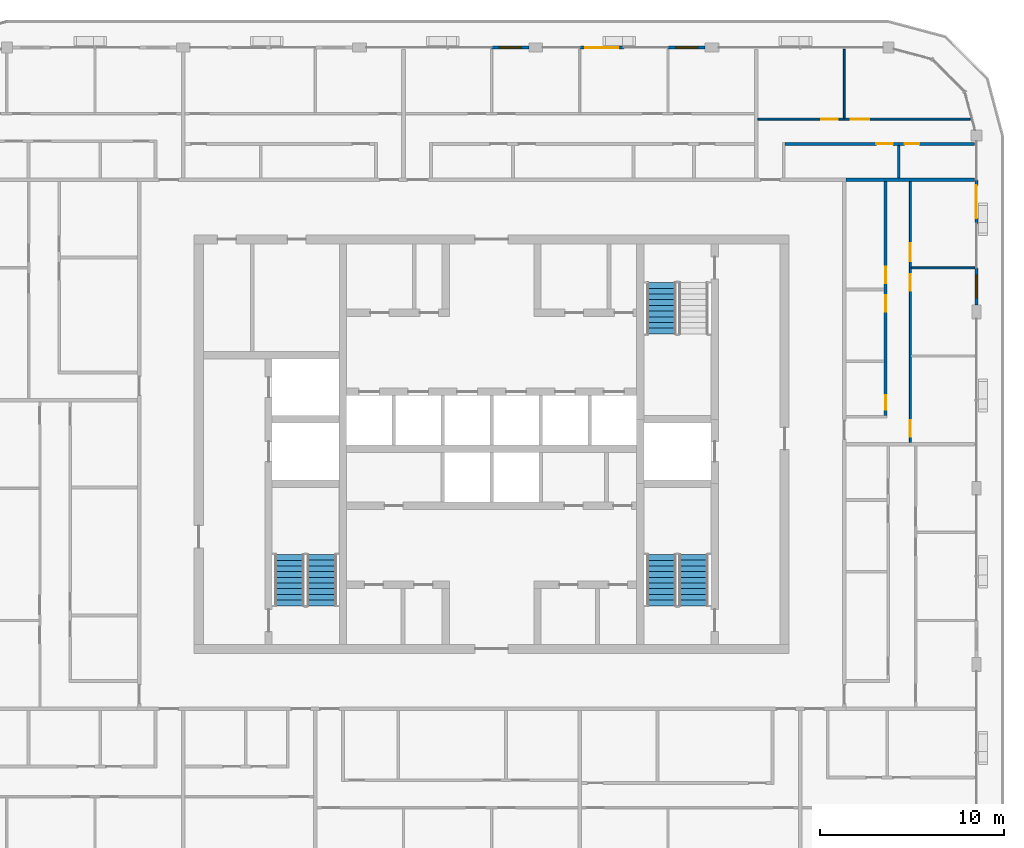
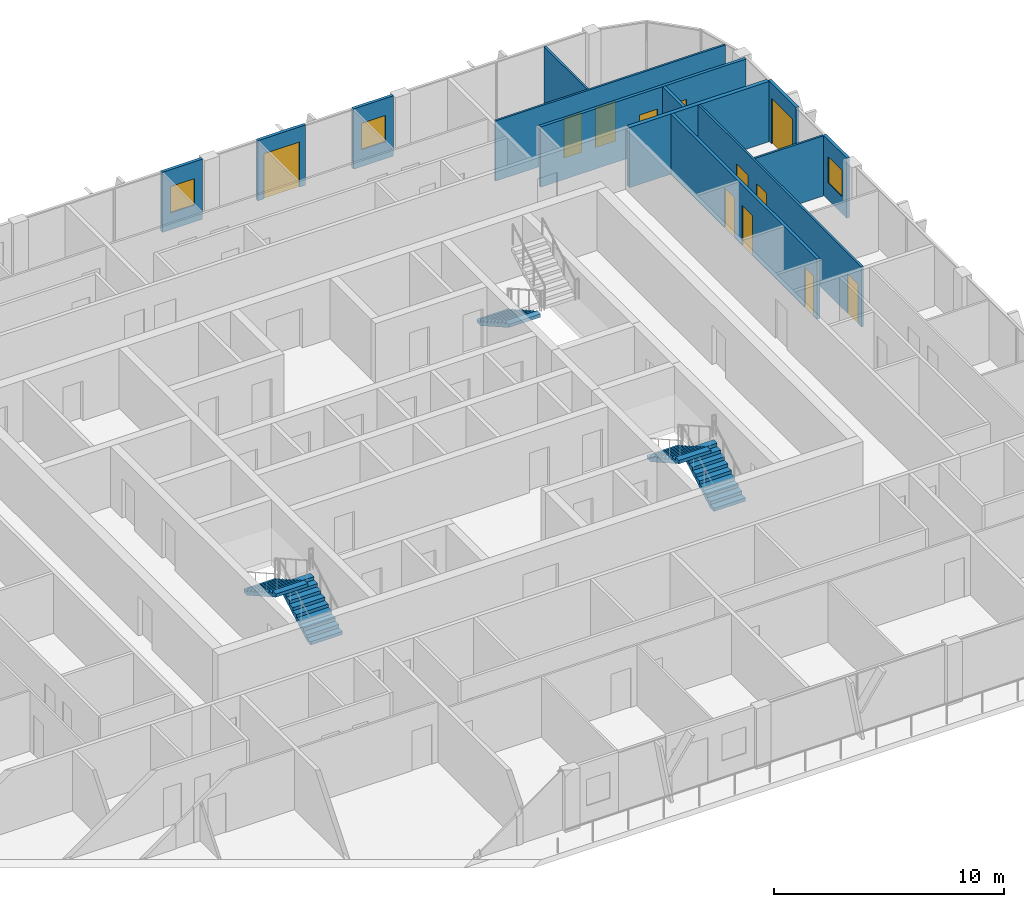
# One storey, part 15 of 22: 13 walls, 12 doors, 5 stair flights, 3 windows, 15 openings, 3 elements without a shape of their own.
"""IFC4 building model written with IfcOpenShell, lengths in metres."""

from ifc_helpers import new_model, si_unit, direction, frame, frame_2d, origin, place, context, subcontext, project, spatial, polyline, rectangle, outline, extrude, material, layer, layer_set, type_object, element, fill, aggregate, save


model = new_model("IFC4")

# Units and contexts
model_context = context("Model", 3, precision=1e-05, world=origin(), true_north=direction((0.0, 1.0)))
body_context = subcontext(model_context, "Body", "Model", "MODEL_VIEW")
ifc_project = project(units=[si_unit("LENGTHUNIT", "METRE"), si_unit("AREAUNIT", "SQUARE_METRE"), si_unit("VOLUMEUNIT", "CUBIC_METRE"), si_unit("PLANEANGLEUNIT", "RADIAN"), si_unit("MASSUNIT", "GRAM", prefix="KILO")], contexts=[model_context])

# Site, building, storey
site_placement = place(None, origin())
site = spatial("IfcSite", under=ifc_project, at=site_placement, CompositionType="ELEMENT")
building_placement = place(site_placement, origin())
building = spatial("IfcBuilding", under=site, at=building_placement, Name="Madar Terraces", CompositionType="ELEMENT")
storey_placement = place(building_placement, frame((0.0, 0.0, 282.60009765625)))
storey = spatial("IfcBuildingStorey", under=building, at=storey_placement, Name="L74", CompositionType="ELEMENT", Elevation=282.60009765625)

# Wall, opening, window
ifc_material_1 = material(Name="Aluminium composite panel, black, over insulated backing", Category="aluminium")
ifc_layer_1 = layer(ifc_material_1, 0.14990234375)
ifc_layer_set_1 = layer_set([ifc_layer_1], Name="Facade bay panel 150")
wall_type_1 = type_object("IfcWallType", Name="Facade bay panel 150", PredefinedType="SOLIDWALL", material=ifc_layer_set_1)
wall_1_placement = place(storey_placement, frame((57.60009765625, 33.97509765625, 0.0), z_axis=(0.0, 0.0, 1.0), x_axis=(0.0, 1.0, 0.0)))
wall_1 = element("IfcWall", 1, at=wall_1_placement, inside=storey, type_object=wall_type_1, Name="Facade bay panel", PredefinedType="SOLIDWALL", context=body_context, shape_type="SweptSolid", body=[
    extrude(rectangle(XDim=2.02490234375, YDim=0.14990234375, at=frame_2d((1.012451171875, 0.0))), origin(), (0.0, 0.0, 1.0), 3.199951171875),
])
opening_1_placement = place(wall_1_placement, frame((0.41259765625, 0.0, 0.89990234375)))
opening_1 = element("IfcOpeningElement", 2, at=opening_1_placement, cuts=wall_1, Name="Opening W1", PredefinedType="OPENING", context=body_context, shape_type="SweptSolid", body=[
    extrude(rectangle(XDim=1.199951171875, YDim=1.39990234375, at=frame_2d((0.60009765625, 0.699951171875))), frame((0.0, 0.0849609375, 0.0), z_axis=(0.0, -1.0, 0.0), x_axis=(1.0, 0.0, 0.0)), (0.0, 0.0, 1.0), 0.169921875),
])
ifc_material_2 = material(Name="Glass, clear, with black aluminium frame", Category="aluminium")
window_type = type_object("IfcWindowType", Name="Vent window 1200 x 1400", PartitioningType="SINGLE_PANEL", PredefinedType="WINDOW", material=ifc_material_2)
window_1_placement = place(opening_1_placement, origin())
window_1 = element("IfcWindow", 3, at=window_1_placement, inside=storey, type_object=window_type, Name="Operable vent window", OverallHeight=1.39990234375, OverallWidth=1.199951171875, PartitioningType="SINGLE_PANEL", PredefinedType="WINDOW", context=body_context, shape_type="SweptSolid", body=[
    extrude(rectangle(XDim=1.199951171875, YDim=1.39990234375, at=frame_2d((0.60009765625, 0.699951171875))), frame((0.0, 0.030029296875, 0.0), z_axis=(0.0, -1.0, 0.0), x_axis=(1.0, 0.0, 0.0)), (0.0, 0.0, 1.0), 0.06005859375),
])
fill(opening_1, window_1)

# Wall, opening, door
wall_2_placement = place(storey_placement, frame((57.60009765625, 38.39990234375, 0.0), z_axis=(0.0, 0.0, 1.0), x_axis=(0.0, 1.0, 0.0)))
wall_2 = element("IfcWall", 4, at=wall_2_placement, inside=storey, type_object=wall_type_1, Name="Facade bay panel", PredefinedType="SOLIDWALL", context=body_context, shape_type="SweptSolid", body=[
    extrude(rectangle(XDim=2.400146484375, YDim=0.14990234375, at=frame_2d((1.2001953125, 0.0))), origin(), (0.0, 0.0, 1.0), 3.199951171875),
])
opening_2_placement = place(wall_2_placement, frame((0.300048828125, 0.0, 0.0)))
opening_2 = element("IfcOpeningElement", 5, at=opening_2_placement, cuts=wall_2, Name="Opening ED1", PredefinedType="OPENING", context=body_context, shape_type="SweptSolid", body=[
    extrude(rectangle(XDim=1.800048828125, YDim=2.39990234375, at=frame_2d((0.89990234375, 1.199951171875))), frame((0.0, 0.0849609375, 0.0), z_axis=(0.0, -1.0, 0.0), x_axis=(1.0, 0.0, 0.0)), (0.0, 0.0, 1.0), 0.169921875),
])
ifc_material_3 = material(Name="Glass, clear, with black aluminium frame", Category="aluminium")
door_type_1 = type_object("IfcDoorType", Name="Balcony and terrace sliding door 1800 x 2400", OperationType="SLIDING_TO_LEFT", PredefinedType="DOOR", material=ifc_material_3)
door_1_placement = place(opening_2_placement, origin())
door_1 = element("IfcDoor", 6, at=door_1_placement, inside=storey, type_object=door_type_1, Name="Balcony door", OperationType="SLIDING_TO_RIGHT", OverallHeight=2.39990234375, OverallWidth=1.800048828125, PredefinedType="DOOR", context=body_context, shape_type="SweptSolid", body=[
    extrude(rectangle(XDim=1.800048828125, YDim=2.39990234375, at=frame_2d((0.89990234375, 1.199951171875))), frame((0.0, 0.02490234375, 0.0), z_axis=(0.0, -1.0, 0.0), x_axis=(1.0, 0.0, 0.0)), (0.0, 0.0, 1.0), 0.050048828125),
])
fill(opening_2, door_1)

# Wall, opening, window
wall_3_placement = place(storey_placement, frame((42.824951171875, 48.0, 0.0), z_axis=(0.0, 0.0, 1.0), x_axis=(-1.0, 0.0, 0.0)))
wall_3 = element("IfcWall", 7, at=wall_3_placement, inside=storey, type_object=wall_type_1, Name="Facade bay panel", PredefinedType="SOLIDWALL", context=body_context, shape_type="SweptSolid", body=[
    extrude(rectangle(XDim=2.02490234375, YDim=0.14990234375, at=frame_2d((1.012451171875, 0.0))), origin(), (0.0, 0.0, 1.0), 3.199951171875),
])
opening_3_placement = place(wall_3_placement, frame((0.41259765625, 0.0, 0.89990234375)))
opening_3 = element("IfcOpeningElement", 8, at=opening_3_placement, cuts=wall_3, Name="Opening W1", PredefinedType="OPENING", context=body_context, shape_type="SweptSolid", body=[
    extrude(rectangle(XDim=1.199951171875, YDim=1.39990234375, at=frame_2d((0.60009765625, 0.699951171875))), frame((0.0, 0.0849609375, 0.0), z_axis=(0.0, -1.0, 0.0), x_axis=(1.0, 0.0, 0.0)), (0.0, 0.0, 1.0), 0.169921875),
])
window_2_placement = place(opening_3_placement, origin())
window_2 = element("IfcWindow", 9, at=window_2_placement, inside=storey, type_object=window_type, Name="Operable vent window", OverallHeight=1.39990234375, OverallWidth=1.199951171875, PartitioningType="SINGLE_PANEL", PredefinedType="WINDOW", context=body_context, shape_type="SweptSolid", body=[
    extrude(rectangle(XDim=1.199951171875, YDim=1.39990234375, at=frame_2d((0.60009765625, 0.699951171875))), frame((0.0, 0.030029296875, 0.0), z_axis=(0.0, -1.0, 0.0), x_axis=(1.0, 0.0, 0.0)), (0.0, 0.0, 1.0), 0.06005859375),
])
fill(opening_3, window_2)

# Wall, opening, door
wall_4_placement = place(storey_placement, frame((38.39990234375, 48.0, 0.0), z_axis=(0.0, 0.0, 1.0), x_axis=(-1.0, 0.0, 0.0)))
wall_4 = element("IfcWall", 10, at=wall_4_placement, inside=storey, type_object=wall_type_1, Name="Facade bay panel", PredefinedType="SOLIDWALL", context=body_context, shape_type="SweptSolid", body=[
    extrude(rectangle(XDim=2.39990234375, YDim=0.14990234375, at=frame_2d((1.199951171875, 0.0))), origin(), (0.0, 0.0, 1.0), 3.199951171875),
])
opening_4_placement = place(wall_4_placement, frame((0.300048828125, 0.0, 0.0)))
opening_4 = element("IfcOpeningElement", 11, at=opening_4_placement, cuts=wall_4, Name="Opening ED1", PredefinedType="OPENING", context=body_context, shape_type="SweptSolid", body=[
    extrude(rectangle(XDim=1.800048828125, YDim=2.39990234375, at=frame_2d((0.89990234375, 1.199951171875))), frame((0.0, 0.0849609375, 0.0), z_axis=(0.0, -1.0, 0.0), x_axis=(1.0, 0.0, 0.0)), (0.0, 0.0, 1.0), 0.169921875),
])
door_2_placement = place(opening_4_placement, origin())
door_2 = element("IfcDoor", 12, at=door_2_placement, inside=storey, type_object=door_type_1, Name="Balcony door", OperationType="SLIDING_TO_LEFT", OverallHeight=2.39990234375, OverallWidth=1.800048828125, PredefinedType="DOOR", context=body_context, shape_type="SweptSolid", body=[
    extrude(rectangle(XDim=1.800048828125, YDim=2.39990234375, at=frame_2d((0.89990234375, 1.199951171875))), frame((0.0, 0.02490234375, 0.0), z_axis=(0.0, -1.0, 0.0), x_axis=(1.0, 0.0, 0.0)), (0.0, 0.0, 1.0), 0.050048828125),
])
fill(opening_4, door_2)

# Wall, opening, window
wall_5_placement = place(storey_placement, frame((33.22509765625, 48.0, 0.0), z_axis=(0.0, 0.0, 1.0), x_axis=(-1.0, 0.0, 0.0)))
wall_5 = element("IfcWall", 13, at=wall_5_placement, inside=storey, type_object=wall_type_1, Name="Facade bay panel", PredefinedType="SOLIDWALL", context=body_context, shape_type="SweptSolid", body=[
    extrude(rectangle(XDim=2.025146484375, YDim=0.14990234375, at=frame_2d((1.0126953125, 0.0))), origin(), (0.0, 0.0, 1.0), 3.199951171875),
])
opening_5_placement = place(wall_5_placement, frame((0.41259765625, 0.0, 0.89990234375)))
opening_5 = element("IfcOpeningElement", 14, at=opening_5_placement, cuts=wall_5, Name="Opening W1", PredefinedType="OPENING", context=body_context, shape_type="SweptSolid", body=[
    extrude(rectangle(XDim=1.199951171875, YDim=1.39990234375, at=frame_2d((0.60009765625, 0.699951171875))), frame((0.0, 0.0849609375, 0.0), z_axis=(0.0, -1.0, 0.0), x_axis=(1.0, 0.0, 0.0)), (0.0, 0.0, 1.0), 0.169921875),
])
window_3_placement = place(opening_5_placement, origin())
window_3 = element("IfcWindow", 15, at=window_3_placement, inside=storey, type_object=window_type, Name="Operable vent window", OverallHeight=1.39990234375, OverallWidth=1.199951171875, PartitioningType="SINGLE_PANEL", PredefinedType="WINDOW", context=body_context, shape_type="SweptSolid", body=[
    extrude(rectangle(XDim=1.199951171875, YDim=1.39990234375, at=frame_2d((0.60009765625, 0.699951171875))), frame((0.0, 0.030029296875, 0.0), z_axis=(0.0, -1.0, 0.0), x_axis=(1.0, 0.0, 0.0)), (0.0, 0.0, 1.0), 0.06005859375),
])
fill(opening_5, window_3)

# Wall
ifc_material_4 = material(Name="Gypsum board on steel studs", Category="steel")
ifc_layer_2 = layer(ifc_material_4, 0.10009765625)
ifc_layer_set_2 = layer_set([ifc_layer_2], Name="Flat partition 100")
wall_type_2 = type_object("IfcWallType", Name="Flat partition 100", PredefinedType="PARTITIONING", material=ifc_layer_set_2)
wall_6_placement = place(storey_placement, frame((54.050048828125, 36.0, 0.0), z_axis=(0.0, 0.0, 1.0), x_axis=(1.0, 0.0, 0.0)))
element("IfcWall", 16, at=wall_6_placement, inside=storey, type_object=wall_type_2, Name="Flat partition 100", PredefinedType="PARTITIONING", context=body_context, shape_type="SweptSolid", body=[
    extrude(rectangle(XDim=3.449951171875, YDim=0.10009765625, at=frame_2d((1.72509765625, 0.0))), origin(), (0.0, 0.0, 1.0), 3.199951171875),
])

# Wall, openings, doors
wall_7_placement = place(storey_placement, frame((54.0, 40.699951171875, 0.0), z_axis=(0.0, 0.0, 1.0), x_axis=(0.0, -1.0, 0.0)))
wall_7 = element("IfcWall", 17, at=wall_7_placement, inside=storey, type_object=wall_type_2, Name="Flat partition 100", PredefinedType="PARTITIONING", context=body_context, shape_type="SweptSolid", body=[
    extrude(rectangle(XDim=14.199951171875, YDim=0.10009765625, at=frame_2d((7.10009765625, 0.0))), origin(), (0.0, 0.0, 1.0), 3.199951171875),
])
opening_6_placement = place(wall_7_placement, frame((13.0, 0.0, 0.0)))
opening_6 = element("IfcOpeningElement", 18, at=opening_6_placement, cuts=wall_7, Name="Opening D2", PredefinedType="OPENING", context=body_context, shape_type="SweptSolid", body=[
    extrude(rectangle(XDim=0.89990234375, YDim=2.10009765625, at=frame_2d((0.449951171875, 1.050048828125))), frame((0.0, 0.06005859375, 0.0), z_axis=(0.0, -1.0, 0.0), x_axis=(1.0, 0.0, 0.0)), (0.0, 0.0, 1.0), 0.1201171875),
])
opening_7_placement = place(wall_7_placement, frame((5.050048828125, 0.0, 0.0)))
opening_7 = element("IfcOpeningElement", 19, at=opening_7_placement, cuts=wall_7, Name="Opening D2", PredefinedType="OPENING", context=body_context, shape_type="SweptSolid", body=[
    extrude(rectangle(XDim=0.89990234375, YDim=2.10009765625, at=frame_2d((0.449951171875, 1.050048828125))), frame((0.0, 0.06005859375, 0.0), z_axis=(0.0, -1.0, 0.0), x_axis=(1.0, 0.0, 0.0)), (0.0, 0.0, 1.0), 0.1201171875),
])
opening_8_placement = place(wall_7_placement, frame((3.35009765625, 0.0, 0.0)))
opening_8 = element("IfcOpeningElement", 20, at=opening_8_placement, cuts=wall_7, Name="Opening D3", PredefinedType="OPENING", context=body_context, shape_type="SweptSolid", body=[
    extrude(rectangle(XDim=1.0, YDim=2.10009765625, at=frame_2d((0.5, 1.050048828125))), frame((0.0, 0.06005859375, 0.0), z_axis=(0.0, -1.0, 0.0), x_axis=(1.0, 0.0, 0.0)), (0.0, 0.0, 1.0), 0.1201171875),
])
ifc_material_5 = material(Name="Timber door leaf", Category="wood")
door_type_2 = type_object("IfcDoorType", Name="Flat living room door 1000", OperationType="NOTDEFINED", PredefinedType="DOOR", material=ifc_material_5)
door_3_placement = place(opening_8_placement, origin())
door_3 = element("IfcDoor", 21, at=door_3_placement, inside=storey, type_object=door_type_2, Name="Flat living room door 1000", OperationType="SINGLE_SWING_RIGHT", OverallHeight=2.10009765625, OverallWidth=1.0, PredefinedType="DOOR", context=body_context, shape_type="SweptSolid", body=[
    extrude(rectangle(XDim=1.0, YDim=2.10009765625, at=frame_2d((0.5, 1.050048828125))), frame((0.0, 0.02490234375, 0.0), z_axis=(0.0, -1.0, 0.0), x_axis=(1.0, 0.0, 0.0)), (0.0, 0.0, 1.0), 0.050048828125),
])
fill(opening_8, door_3)
ifc_material_6 = material(Name="Timber door leaf", Category="wood")
door_type_3 = type_object("IfcDoorType", Name="Flat room door 900", OperationType="NOTDEFINED", PredefinedType="DOOR", material=ifc_material_6)
door_4_placement = place(opening_6_placement, origin())
door_4 = element("IfcDoor", 22, at=door_4_placement, inside=storey, type_object=door_type_3, Name="Flat room door 900", OperationType="SINGLE_SWING_RIGHT", OverallHeight=2.10009765625, OverallWidth=0.89990234375, PredefinedType="DOOR", context=body_context, shape_type="SweptSolid", body=[
    extrude(rectangle(XDim=0.89990234375, YDim=2.10009765625, at=frame_2d((0.449951171875, 1.050048828125))), frame((0.0, 0.02490234375, 0.0), z_axis=(0.0, -1.0, 0.0), x_axis=(1.0, 0.0, 0.0)), (0.0, 0.0, 1.0), 0.050048828125),
])
fill(opening_6, door_4)
door_5_placement = place(opening_7_placement, origin())
door_5 = element("IfcDoor", 23, at=door_5_placement, inside=storey, type_object=door_type_3, Name="Flat room door 900", OperationType="SINGLE_SWING_LEFT", OverallHeight=2.10009765625, OverallWidth=0.89990234375, PredefinedType="DOOR", context=body_context, shape_type="SweptSolid", body=[
    extrude(rectangle(XDim=0.89990234375, YDim=2.10009765625, at=frame_2d((0.449951171875, 1.050048828125))), frame((0.0, 0.02490234375, 0.0), z_axis=(0.0, -1.0, 0.0), x_axis=(1.0, 0.0, 0.0)), (0.0, 0.0, 1.0), 0.050048828125),
])
fill(opening_7, door_5)

# Wall
wall_8_placement = place(storey_placement, frame((50.39990234375, 44.14990234375, 0.0), z_axis=(0.0, 0.0, 1.0), x_axis=(0.0, 1.0, 0.0)))
element("IfcWall", 24, at=wall_8_placement, inside=storey, type_object=wall_type_2, Name="Flat partition 100", PredefinedType="PARTITIONING", context=body_context, shape_type="SweptSolid", body=[
    extrude(rectangle(XDim=3.75, YDim=0.10009765625, at=frame_2d((1.875, 0.0))), origin(), (0.0, 0.0, 1.0), 3.199951171875),
])

# Wall, openings, doors
wall_9_placement = place(storey_placement, frame((45.699951171875, 44.10009765625, 0.0), z_axis=(0.0, 0.0, 1.0), x_axis=(1.0, 0.0, 0.0)))
wall_9 = element("IfcWall", 25, at=wall_9_placement, inside=storey, type_object=wall_type_2, Name="Flat partition 100", PredefinedType="PARTITIONING", context=body_context, shape_type="SweptSolid", body=[
    extrude(rectangle(XDim=11.558837890625, YDim=0.10009765625, at=frame_2d((5.779296875, 0.0))), origin(), (0.0, 0.0, 1.0), 3.199951171875),
])
opening_9_placement = place(wall_9_placement, frame((3.449951171875, 0.0, 0.0)))
opening_9 = element("IfcOpeningElement", 26, at=opening_9_placement, cuts=wall_9, Name="Opening D2", PredefinedType="OPENING", context=body_context, shape_type="SweptSolid", body=[
    extrude(rectangle(XDim=0.89990234375, YDim=2.10009765625, at=frame_2d((0.449951171875, 1.050048828125))), frame((0.0, 0.06005859375, 0.0), z_axis=(0.0, -1.0, 0.0), x_axis=(1.0, 0.0, 0.0)), (0.0, 0.0, 1.0), 0.1201171875),
])
opening_10_placement = place(wall_9_placement, frame((5.050048828125, 0.0, 0.0)))
opening_10 = element("IfcOpeningElement", 27, at=opening_10_placement, cuts=wall_9, Name="Opening D3", PredefinedType="OPENING", context=body_context, shape_type="SweptSolid", body=[
    extrude(rectangle(XDim=1.0, YDim=2.10009765625, at=frame_2d((0.5, 1.050048828125))), frame((0.0, 0.06005859375, 0.0), z_axis=(0.0, -1.0, 0.0), x_axis=(1.0, 0.0, 0.0)), (0.0, 0.0, 1.0), 0.1201171875),
])
door_6_placement = place(opening_10_placement, origin())
door_6 = element("IfcDoor", 28, at=door_6_placement, inside=storey, type_object=door_type_2, Name="Flat living room door 1000", OperationType="SINGLE_SWING_LEFT", OverallHeight=2.10009765625, OverallWidth=1.0, PredefinedType="DOOR", context=body_context, shape_type="SweptSolid", body=[
    extrude(rectangle(XDim=1.0, YDim=2.10009765625, at=frame_2d((0.5, 1.050048828125))), frame((0.0, 0.02490234375, 0.0), z_axis=(0.0, -1.0, 0.0), x_axis=(1.0, 0.0, 0.0)), (0.0, 0.0, 1.0), 0.050048828125),
])
fill(opening_10, door_6)
door_7_placement = place(opening_9_placement, origin())
door_7 = element("IfcDoor", 29, at=door_7_placement, inside=storey, type_object=door_type_3, Name="Flat room door 900", OperationType="SINGLE_SWING_RIGHT", OverallHeight=2.10009765625, OverallWidth=0.89990234375, PredefinedType="DOOR", context=body_context, shape_type="SweptSolid", body=[
    extrude(rectangle(XDim=0.89990234375, YDim=2.10009765625, at=frame_2d((0.449951171875, 1.050048828125))), frame((0.0, 0.02490234375, 0.0), z_axis=(0.0, -1.0, 0.0), x_axis=(1.0, 0.0, 0.0)), (0.0, 0.0, 1.0), 0.050048828125),
])
fill(opening_9, door_7)

# Wall
ifc_material_7 = material(Name="Lightweight blockwork", Category="masonry")
ifc_layer_3 = layer(ifc_material_7, 0.199951171875)
ifc_layer_set_3 = layer_set([ifc_layer_3], Name="Flat party and entrance wall 200")
wall_type_3 = type_object("IfcWallType", Name="Flat party and entrance wall 200", PredefinedType="PARTITIONING", material=ifc_layer_set_3)
wall_10_placement = place(storey_placement, frame((50.5, 40.800048828125, 0.0), z_axis=(0.0, 0.0, 1.0), x_axis=(1.0, 0.0, 0.0)))
element("IfcWall", 30, at=wall_10_placement, inside=storey, type_object=wall_type_3, Name="Flat party and entrance wall 200", PredefinedType="PARTITIONING", context=body_context, shape_type="SweptSolid", body=[
    extrude(rectangle(XDim=7.0, YDim=0.199951171875, at=frame_2d((3.5, 0.0))), origin(), (0.0, 0.0, 1.0), 3.199951171875),
])

# Wall, openings, doors
ifc_material_8 = material(Name="Lightweight blockwork", Category="masonry")
ifc_layer_4 = layer(ifc_material_8, 0.14990234375)
ifc_layer_set_4 = layer_set([ifc_layer_4], Name="Flat wet-room partition 150")
wall_type_4 = type_object("IfcWallType", Name="Flat wet-room partition 150", PredefinedType="PARTITIONING", material=ifc_layer_set_4)
wall_11_placement = place(storey_placement, frame((52.64990234375, 27.97509765625, 0.0), z_axis=(0.0, 0.0, 1.0), x_axis=(0.0, 1.0, 0.0)))
wall_11 = element("IfcWall", 31, at=wall_11_placement, inside=storey, type_object=wall_type_4, Name="Flat wet-room partition 150", PredefinedType="PARTITIONING", context=body_context, shape_type="SweptSolid", body=[
    extrude(rectangle(XDim=12.724853515625, YDim=0.14990234375, at=frame_2d((6.3623046875, 0.0))), origin(), (0.0, 0.0, 1.0), 3.199951171875),
])
opening_11_placement = place(wall_11_placement, frame((0.300048828125, 0.0, 0.0)))
opening_11 = element("IfcOpeningElement", 32, at=opening_11_placement, cuts=wall_11, Name="Opening D4", PredefinedType="OPENING", context=body_context, shape_type="SweptSolid", body=[
    extrude(rectangle(XDim=0.800048828125, YDim=2.10009765625, at=frame_2d((0.39990234375, 1.050048828125))), frame((0.0, 0.0849609375, 0.0), z_axis=(0.0, -1.0, 0.0), x_axis=(1.0, 0.0, 0.0)), (0.0, 0.0, 1.0), 0.169921875),
])
opening_12_placement = place(wall_11_placement, frame((5.626953125, 0.0, 0.0)))
opening_12 = element("IfcOpeningElement", 33, at=opening_12_placement, cuts=wall_11, Name="Opening D5", PredefinedType="OPENING", context=body_context, shape_type="SweptSolid", body=[
    extrude(rectangle(XDim=0.89990234375, YDim=2.10009765625, at=frame_2d((0.449951171875, 1.050048828125))), frame((0.0, 0.0849609375, 0.0), z_axis=(0.0, -1.0, 0.0), x_axis=(1.0, 0.0, 0.0)), (0.0, 0.0, 1.0), 0.169921875),
])
opening_13_placement = place(wall_11_placement, frame((7.177001953125, 0.0, 0.0)))
opening_13 = element("IfcOpeningElement", 34, at=opening_13_placement, cuts=wall_11, Name="Opening D2", PredefinedType="OPENING", context=body_context, shape_type="SweptSolid", body=[
    extrude(rectangle(XDim=0.89990234375, YDim=2.10009765625, at=frame_2d((0.449951171875, 1.050048828125))), frame((0.0, 0.0849609375, 0.0), z_axis=(0.0, -1.0, 0.0), x_axis=(1.0, 0.0, 0.0)), (0.0, 0.0, 1.0), 0.169921875),
])
ifc_material_9 = material(Name="Timber door leaf", Category="wood")
door_type_4 = type_object("IfcDoorType", Name="Flat accessible bathroom door 900", OperationType="NOTDEFINED", PredefinedType="DOOR", material=ifc_material_9)
door_8_placement = place(opening_12_placement, origin())
door_8 = element("IfcDoor", 35, at=door_8_placement, inside=storey, type_object=door_type_4, Name="Flat accessible bathroom door 900", OperationType="SINGLE_SWING_RIGHT", OverallHeight=2.10009765625, OverallWidth=0.89990234375, PredefinedType="DOOR", context=body_context, shape_type="SweptSolid", body=[
    extrude(rectangle(XDim=0.89990234375, YDim=2.10009765625, at=frame_2d((0.449951171875, 1.050048828125))), frame((0.0, 0.02490234375, 0.0), z_axis=(0.0, -1.0, 0.0), x_axis=(1.0, 0.0, 0.0)), (0.0, 0.0, 1.0), 0.050048828125),
])
fill(opening_12, door_8)
ifc_material_10 = material(Name="Timber door leaf", Category="wood")
door_type_5 = type_object("IfcDoorType", Name="Flat bathroom door 800", OperationType="NOTDEFINED", PredefinedType="DOOR", material=ifc_material_10)
door_9_placement = place(opening_11_placement, origin())
door_9 = element("IfcDoor", 36, at=door_9_placement, inside=storey, type_object=door_type_5, Name="Flat bathroom door 800", OperationType="SINGLE_SWING_LEFT", OverallHeight=2.10009765625, OverallWidth=0.800048828125, PredefinedType="DOOR", context=body_context, shape_type="SweptSolid", body=[
    extrude(rectangle(XDim=0.800048828125, YDim=2.10009765625, at=frame_2d((0.39990234375, 1.050048828125))), frame((0.0, 0.02490234375, 0.0), z_axis=(0.0, -1.0, 0.0), x_axis=(1.0, 0.0, 0.0)), (0.0, 0.0, 1.0), 0.050048828125),
])
fill(opening_11, door_9)
door_10_placement = place(opening_13_placement, origin())
door_10 = element("IfcDoor", 37, at=door_10_placement, inside=storey, type_object=door_type_3, Name="Flat room door 900", OperationType="SINGLE_SWING_LEFT", OverallHeight=2.10009765625, OverallWidth=0.89990234375, PredefinedType="DOOR", context=body_context, shape_type="SweptSolid", body=[
    extrude(rectangle(XDim=0.89990234375, YDim=2.10009765625, at=frame_2d((0.449951171875, 1.050048828125))), frame((0.0, 0.02490234375, 0.0), z_axis=(0.0, -1.0, 0.0), x_axis=(1.0, 0.0, 0.0)), (0.0, 0.0, 1.0), 0.050048828125),
])
fill(opening_13, door_10)

# Wall
wall_12_placement = place(storey_placement, frame((53.3701171875, 40.89990234375, 0.0), z_axis=(0.0, 0.0, 1.0), x_axis=(0.0, 1.0, 0.0)))
element("IfcWall", 38, at=wall_12_placement, inside=storey, type_object=wall_type_4, Name="Flat wet-room partition 150", PredefinedType="PARTITIONING", context=body_context, shape_type="SweptSolid", body=[
    extrude(rectangle(XDim=1.775146484375, YDim=0.14990234375, at=frame_2d((0.8876953125, 0.0))), origin(), (0.0, 0.0, 1.0), 3.199951171875),
])

# Wall, openings, doors
wall_13_placement = place(storey_placement, frame((57.5, 42.75, 0.0), z_axis=(0.0, 0.0, 1.0), x_axis=(-1.0, 0.0, 0.0)))
wall_13 = element("IfcWall", 39, at=wall_13_placement, inside=storey, type_object=wall_type_4, Name="Flat wet-room partition 150", PredefinedType="PARTITIONING", context=body_context, shape_type="SweptSolid", body=[
    extrude(rectangle(XDim=10.324951171875, YDim=0.14990234375, at=frame_2d((5.16259765625, 0.0))), origin(), (0.0, 0.0, 1.0), 3.199951171875),
])
opening_14_placement = place(wall_13_placement, frame((4.455078125, 0.0, 0.0)))
opening_14 = element("IfcOpeningElement", 40, at=opening_14_placement, cuts=wall_13, Name="Opening D2", PredefinedType="OPENING", context=body_context, shape_type="SweptSolid", body=[
    extrude(rectangle(XDim=0.89990234375, YDim=2.10009765625, at=frame_2d((0.449951171875, 1.050048828125))), frame((0.0, 0.0849609375, 0.0), z_axis=(0.0, -1.0, 0.0), x_axis=(1.0, 0.0, 0.0)), (0.0, 0.0, 1.0), 0.169921875),
])
opening_15_placement = place(wall_13_placement, frame((3.0048828125, 0.0, 0.0)))
opening_15 = element("IfcOpeningElement", 41, at=opening_15_placement, cuts=wall_13, Name="Opening D4", PredefinedType="OPENING", context=body_context, shape_type="SweptSolid", body=[
    extrude(rectangle(XDim=0.800048828125, YDim=2.10009765625, at=frame_2d((0.39990234375, 1.050048828125))), frame((0.0, 0.0849609375, 0.0), z_axis=(0.0, -1.0, 0.0), x_axis=(1.0, 0.0, 0.0)), (0.0, 0.0, 1.0), 0.169921875),
])
door_11_placement = place(opening_15_placement, origin())
door_11 = element("IfcDoor", 42, at=door_11_placement, inside=storey, type_object=door_type_5, Name="Flat bathroom door 800", OperationType="SINGLE_SWING_RIGHT", OverallHeight=2.10009765625, OverallWidth=0.800048828125, PredefinedType="DOOR", context=body_context, shape_type="SweptSolid", body=[
    extrude(rectangle(XDim=0.800048828125, YDim=2.10009765625, at=frame_2d((0.39990234375, 1.050048828125))), frame((0.0, 0.02490234375, 0.0), z_axis=(0.0, -1.0, 0.0), x_axis=(1.0, 0.0, 0.0)), (0.0, 0.0, 1.0), 0.050048828125),
])
fill(opening_15, door_11)
door_12_placement = place(opening_14_placement, origin())
door_12 = element("IfcDoor", 43, at=door_12_placement, inside=storey, type_object=door_type_3, Name="Flat room door 900", OperationType="SINGLE_SWING_LEFT", OverallHeight=2.10009765625, OverallWidth=0.89990234375, PredefinedType="DOOR", context=body_context, shape_type="SweptSolid", body=[
    extrude(rectangle(XDim=0.89990234375, YDim=2.10009765625, at=frame_2d((0.449951171875, 1.050048828125))), frame((0.0, 0.02490234375, 0.0), z_axis=(0.0, -1.0, 0.0), x_axis=(1.0, 0.0, 0.0)), (0.0, 0.0, 1.0), 0.050048828125),
])
fill(opening_14, door_12)

# Stair, stair flights
ifc_material_11 = material(Name="Concrete C50/60", Category="concrete")
stair_type_1 = type_object("IfcStairType", Name="Stair ST1 protected exit", PredefinedType="HALF_TURN_STAIR", material=ifc_material_11)
stair_1_placement = place(storey_placement, origin())
stair_1 = element("IfcStair", 44, at=stair_1_placement, inside=storey, type_object=stair_type_1, Name="L74 Protected Exit Stair ST1", PredefinedType="HALF_TURN_STAIR")
ifc_material_12 = material(Name="Concrete C50/60", Category="concrete")
stair_flight_type_1 = type_object("IfcStairFlightType", Name="Stair flight ST1-F4, 1600 wide, 10 risers", PredefinedType="STRAIGHT", material=ifc_material_12)
stair_flight_1_placement = place(storey_placement, frame((21.949951171875, 17.60009765625, 0.0), z_axis=(0.0, 0.0, 1.0), x_axis=(0.0, 1.0, 0.0)))
stair_flight_1 = element("IfcStairFlight", 45, at=stair_flight_1_placement, type_object=stair_flight_type_1, Name="ST1 flight 1", NumberOfRisers=10, NumberOfTreads=9, PredefinedType="STRAIGHT", RiserHeight=0.175, TreadLength=0.31, context=body_context, shape_type="SweptSolid", body=[
    extrude(outline(polyline([(0.0, 0.0), (0.0, 0.175048828125), (0.31005859375, 0.175048828125), (0.31005859375, 0.35009765625), (0.6201171875, 0.35009765625), (0.6201171875, 0.52490234375), (0.929931640625, 0.52490234375), (0.929931640625, 0.699951171875), (1.239990234375, 0.699951171875), (1.239990234375, 0.875), (1.550048828125, 0.875), (1.550048828125, 1.050048828125), (1.860107421875, 1.050048828125), (1.860107421875, 1.22509765625), (2.169921875, 1.22509765625), (2.169921875, 1.39990234375), (2.47998046875, 1.39990234375), (2.47998046875, 1.574951171875), (2.7900390625, 1.574951171875), (2.7900390625, 1.75), (2.7900390625, 1.40283203125), (0.304931640625, 0.0), (0.0, 0.0)])), frame((0.0, 0.800048828125, 0.0), z_axis=(0.0, -1.0, 0.0), x_axis=(1.0, 0.0, 0.0)), (0.0, 0.0, 1.0), 1.60009765625),
])
stair_flight_2_placement = place(storey_placement, frame((20.199951171875, 20.389892578125, 1.75), z_axis=(0.0, 0.0, 1.0), x_axis=(0.0, -1.0, 0.0)))
stair_flight_2 = element("IfcStairFlight", 46, at=stair_flight_2_placement, type_object=stair_flight_type_1, Name="ST1 flight 2", NumberOfRisers=10, NumberOfTreads=9, PredefinedType="STRAIGHT", RiserHeight=0.175, TreadLength=0.31, context=body_context, shape_type="SweptSolid", body=[
    extrude(outline(polyline([(0.0, 0.0), (0.0, 0.175048828125), (0.31005859375, 0.175048828125), (0.31005859375, 0.35009765625), (0.6201171875, 0.35009765625), (0.6201171875, 0.52490234375), (0.929931640625, 0.52490234375), (0.929931640625, 0.699951171875), (1.239990234375, 0.699951171875), (1.239990234375, 0.875), (1.550048828125, 0.875), (1.550048828125, 1.050048828125), (1.860107421875, 1.050048828125), (1.860107421875, 1.22509765625), (2.169921875, 1.22509765625), (2.169921875, 1.39990234375), (2.47998046875, 1.39990234375), (2.47998046875, 1.574951171875), (2.7900390625, 1.574951171875), (2.7900390625, 1.75), (2.7900390625, 1.40283203125), (0.304931640625, 0.0), (0.0, 0.0)])), frame((0.0, 0.800048828125, 0.0), z_axis=(0.0, -1.0, 0.0), x_axis=(1.0, 0.0, 0.0)), (0.0, 0.0, 1.0), 1.60009765625),
])
aggregate(stair_1, [stair_flight_1, stair_flight_2])

# Stair, stair flight
ifc_material_13 = material(Name="Concrete C50/60", Category="concrete")
stair_type_2 = type_object("IfcStairType", Name="Stair ST2 protected exit", PredefinedType="HALF_TURN_STAIR", material=ifc_material_13)
stair_2_placement = place(storey_placement, origin())
stair_2 = element("IfcStair", 47, at=stair_2_placement, inside=storey, type_object=stair_type_2, Name="L74 Protected Exit Stair ST2", PredefinedType="HALF_TURN_STAIR")
ifc_material_14 = material(Name="Concrete C50/60", Category="concrete")
stair_flight_type_2 = type_object("IfcStairFlightType", Name="Stair flight ST2-F4, 1600 wide, 10 risers", PredefinedType="STRAIGHT", material=ifc_material_14)
stair_flight_3_placement = place(storey_placement, frame((40.449951171875, 35.199951171875, 0.0), z_axis=(0.0, 0.0, 1.0), x_axis=(0.0, -1.0, 0.0)))
stair_flight_3 = element("IfcStairFlight", 48, at=stair_flight_3_placement, type_object=stair_flight_type_2, Name="ST2 flight 1", NumberOfRisers=10, NumberOfTreads=9, PredefinedType="STRAIGHT", RiserHeight=0.175, TreadLength=0.31, context=body_context, shape_type="SweptSolid", body=[
    extrude(outline(polyline([(0.0, 0.0), (0.0, 0.175048828125), (0.31005859375, 0.175048828125), (0.31005859375, 0.35009765625), (0.6201171875, 0.35009765625), (0.6201171875, 0.52490234375), (0.929931640625, 0.52490234375), (0.929931640625, 0.699951171875), (1.239990234375, 0.699951171875), (1.239990234375, 0.875), (1.550048828125, 0.875), (1.550048828125, 1.050048828125), (1.860107421875, 1.050048828125), (1.860107421875, 1.22509765625), (2.169921875, 1.22509765625), (2.169921875, 1.39990234375), (2.47998046875, 1.39990234375), (2.47998046875, 1.574951171875), (2.7900390625, 1.574951171875), (2.7900390625, 1.75), (2.7900390625, 1.40283203125), (0.304931640625, 0.0), (0.0, 0.0)])), frame((0.0, 0.800048828125, 0.0), z_axis=(0.0, -1.0, 0.0), x_axis=(1.0, 0.0, 0.0)), (0.0, 0.0, 1.0), 1.60009765625),
])
aggregate(stair_2, [stair_flight_3])

# Stair, stair flights
ifc_material_15 = material(Name="Concrete C50/60", Category="concrete")
stair_type_3 = type_object("IfcStairType", Name="Stair ST3 protected exit", PredefinedType="HALF_TURN_STAIR", material=ifc_material_15)
stair_3_placement = place(storey_placement, origin())
stair_3 = element("IfcStair", 49, at=stair_3_placement, inside=storey, type_object=stair_type_3, Name="L74 Protected Exit Stair ST3", PredefinedType="HALF_TURN_STAIR")
ifc_material_16 = material(Name="Concrete C50/60", Category="concrete")
stair_flight_type_3 = type_object("IfcStairFlightType", Name="Stair flight ST3-F4, 1600 wide, 10 risers", PredefinedType="STRAIGHT", material=ifc_material_16)
stair_flight_4_placement = place(storey_placement, frame((42.199951171875, 17.60009765625, 0.0), z_axis=(0.0, 0.0, 1.0), x_axis=(0.0, 1.0, 0.0)))
stair_flight_4 = element("IfcStairFlight", 50, at=stair_flight_4_placement, type_object=stair_flight_type_3, Name="ST3 flight 1", NumberOfRisers=10, NumberOfTreads=9, PredefinedType="STRAIGHT", RiserHeight=0.175, TreadLength=0.31, context=body_context, shape_type="SweptSolid", body=[
    extrude(outline(polyline([(0.0, 0.0), (0.0, 0.175048828125), (0.31005859375, 0.175048828125), (0.31005859375, 0.35009765625), (0.6201171875, 0.35009765625), (0.6201171875, 0.52490234375), (0.929931640625, 0.52490234375), (0.929931640625, 0.699951171875), (1.239990234375, 0.699951171875), (1.239990234375, 0.875), (1.550048828125, 0.875), (1.550048828125, 1.050048828125), (1.860107421875, 1.050048828125), (1.860107421875, 1.22509765625), (2.169921875, 1.22509765625), (2.169921875, 1.39990234375), (2.47998046875, 1.39990234375), (2.47998046875, 1.574951171875), (2.7900390625, 1.574951171875), (2.7900390625, 1.75), (2.7900390625, 1.40283203125), (0.304931640625, 0.0), (0.0, 0.0)])), frame((0.0, 0.800048828125, 0.0), z_axis=(0.0, -1.0, 0.0), x_axis=(1.0, 0.0, 0.0)), (0.0, 0.0, 1.0), 1.60009765625),
])
stair_flight_5_placement = place(storey_placement, frame((40.449951171875, 20.389892578125, 1.75), z_axis=(0.0, 0.0, 1.0), x_axis=(0.0, -1.0, 0.0)))
stair_flight_5 = element("IfcStairFlight", 51, at=stair_flight_5_placement, type_object=stair_flight_type_3, Name="ST3 flight 2", NumberOfRisers=10, NumberOfTreads=9, PredefinedType="STRAIGHT", RiserHeight=0.175, TreadLength=0.31, context=body_context, shape_type="SweptSolid", body=[
    extrude(outline(polyline([(0.0, 0.0), (0.0, 0.175048828125), (0.31005859375, 0.175048828125), (0.31005859375, 0.35009765625), (0.6201171875, 0.35009765625), (0.6201171875, 0.52490234375), (0.929931640625, 0.52490234375), (0.929931640625, 0.699951171875), (1.239990234375, 0.699951171875), (1.239990234375, 0.875), (1.550048828125, 0.875), (1.550048828125, 1.050048828125), (1.860107421875, 1.050048828125), (1.860107421875, 1.22509765625), (2.169921875, 1.22509765625), (2.169921875, 1.39990234375), (2.47998046875, 1.39990234375), (2.47998046875, 1.574951171875), (2.7900390625, 1.574951171875), (2.7900390625, 1.75), (2.7900390625, 1.40283203125), (0.304931640625, 0.0), (0.0, 0.0)])), frame((0.0, 0.800048828125, 0.0), z_axis=(0.0, -1.0, 0.0), x_axis=(1.0, 0.0, 0.0)), (0.0, 0.0, 1.0), 1.60009765625),
])
aggregate(stair_3, [stair_flight_4, stair_flight_5])

save(model, "model.ifc")
